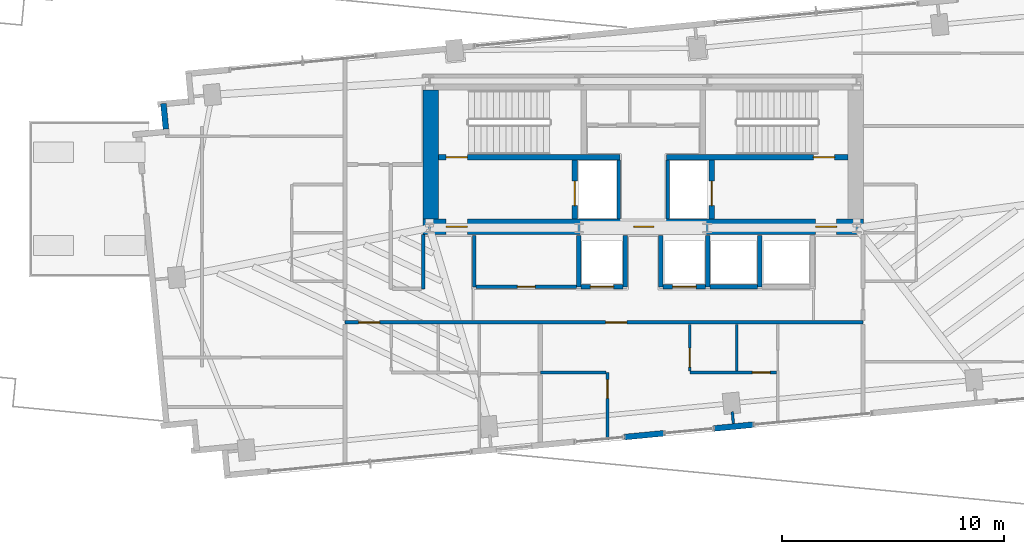
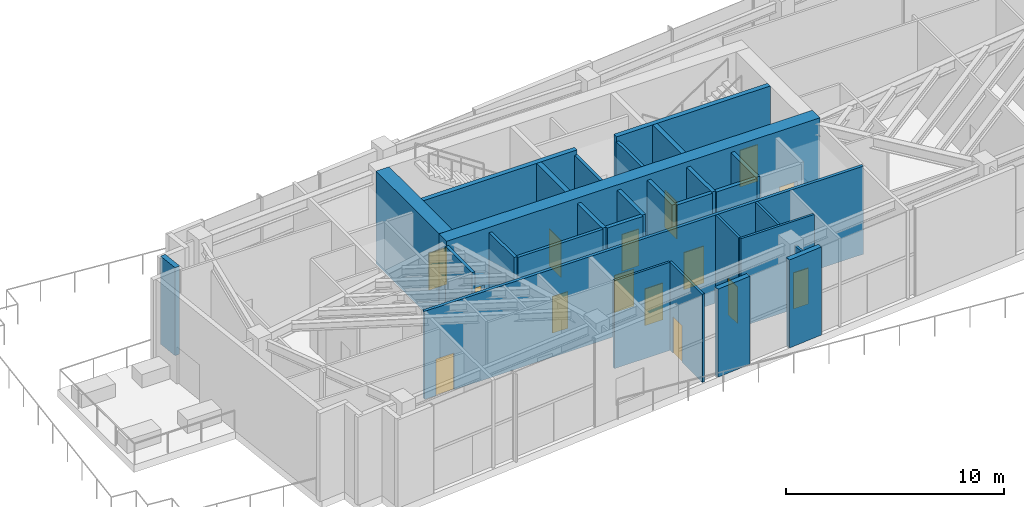
# One storey, part 15 of 21: 29 walls, 15 doors, 15 openings.
"""IFC4 building model written with IfcOpenShell, lengths in metres."""

from ifc_helpers import new_model, si_unit, direction, frame, frame_2d, origin, place, context, subcontext, project, spatial, rectangle, extrude, source, transform, mapped, material, layer, layer_set, type_object, type_shapes, element, fill, save


model = new_model("IFC4")

# Units and contexts
model_context = context("Model", 3, precision=1e-05, world=origin(), true_north=direction((0.0, 1.0)))
body_context = subcontext(model_context, "Body", "Model", "MODEL_VIEW")
ifc_project = project(units=[si_unit("LENGTHUNIT", "METRE"), si_unit("AREAUNIT", "SQUARE_METRE"), si_unit("VOLUMEUNIT", "CUBIC_METRE"), si_unit("PLANEANGLEUNIT", "RADIAN"), si_unit("MASSUNIT", "GRAM", prefix="KILO")], contexts=[model_context])

# Site, building, storey
site_placement = place(None, origin())
site = spatial("IfcSite", under=ifc_project, at=site_placement, CompositionType="ELEMENT")
building_placement = place(site_placement, origin())
building = spatial("IfcBuilding", under=site, at=building_placement, Name="Astriad Promenade Condominiums", CompositionType="ELEMENT")
storey_placement = place(building_placement, frame((0.0, 0.0, 167.800048828125)))
storey = spatial("IfcBuildingStorey", under=building, at=storey_placement, Name="L48", CompositionType="ELEMENT", Elevation=167.800048828125)

# Wall, openings, doors
ifc_material_1 = material(Name="Concrete C60/75", Category="concrete")
ifc_layer_1 = layer(ifc_material_1, 0.699951171875)
ifc_layer_set_1 = layer_set([ifc_layer_1], Name="Concrete C60/75")
wall_type_1 = type_object("IfcWallType", Name="CW-SHEAR-700", PredefinedType="SHEAR", material=ifc_layer_set_1)
wall_1_placement = place(storey_placement, frame((26.10009765625, 17.449951171875, 0.0), z_axis=(0.0, 0.0, 1.0), x_axis=(1.0, 0.0, 0.0)))
wall_1 = element("IfcWall", 1, at=wall_1_placement, inside=storey, type_object=wall_type_1, Name="CW-CORE-S-L48", PredefinedType="SHEAR", context=body_context, shape_type="SweptSolid", body=[
    extrude(rectangle(XDim=19.7998046875, YDim=0.699951171875, at=frame_2d((9.89990234375, 0.0))), origin(), (0.0, 0.0, 1.0), 5.199951171875),
])
opening_1_placement = place(wall_1_placement, frame((1.050048828125, 0.0, 0.0)))
opening_1 = element("IfcOpeningElement", 2, at=opening_1_placement, cuts=wall_1, Name="Opening FD90-ST-095", PredefinedType="OPENING", context=body_context, shape_type="SweptSolid", body=[
    extrude(rectangle(XDim=0.949951171875, YDim=2.06005859375, at=frame_2d((0.47509765625, 1.030029296875))), frame((0.0, 0.35986328125, 0.0), z_axis=(0.0, -1.0, 0.0), x_axis=(1.0, 0.0, 0.0)), (0.0, 0.0, 1.0), 0.719970703125),
])
opening_2_placement = place(wall_1_placement, frame((9.47998046875, 0.0, 0.0)))
opening_2 = element("IfcOpeningElement", 3, at=opening_2_placement, cuts=wall_1, Name="Opening FD60-CSL-090", PredefinedType="OPENING", context=body_context, shape_type="SweptSolid", body=[
    extrude(rectangle(XDim=0.89990234375, YDim=2.06005859375, at=frame_2d((0.449951171875, 1.030029296875))), frame((0.0, 0.35986328125, 0.0), z_axis=(0.0, -1.0, 0.0), x_axis=(1.0, 0.0, 0.0)), (0.0, 0.0, 1.0), 0.719970703125),
])
opening_3_placement = place(wall_1_placement, frame((17.64990234375, 0.0, 0.0)))
opening_3 = element("IfcOpeningElement", 4, at=opening_3_placement, cuts=wall_1, Name="Opening FD90-ST-095", PredefinedType="OPENING", context=body_context, shape_type="SweptSolid", body=[
    extrude(rectangle(XDim=0.949951171875, YDim=2.06005859375, at=frame_2d((0.47509765625, 1.030029296875))), frame((0.0, 0.35986328125, 0.0), z_axis=(0.0, -1.0, 0.0), x_axis=(1.0, 0.0, 0.0)), (0.0, 0.0, 1.0), 0.719970703125),
])
ifc_material_2 = material(Name="Fire-Rated Hollow Metal Stair Door")
door_type_1 = type_object("IfcDoorType", Name="FD90-ST-095", OperationType="NOTDEFINED", PredefinedType="DOOR", material=ifc_material_2)
shared_shape_1 = source(origin(), body_context, "Body", "SweptSolid", [
    extrude(rectangle(XDim=0.949951171875, YDim=2.06005859375, at=frame_2d((0.47509765625, 1.030029296875))), frame((0.0, 0.02490234375, 0.0), z_axis=(0.0, -1.0, 0.0), x_axis=(1.0, 0.0, 0.0)), (0.0, 0.0, 1.0), 0.050048828125),
])
type_shapes(door_type_1, [shared_shape_1])
door_1_placement = place(opening_1_placement, origin())
door_1 = element("IfcDoor", 5, at=door_1_placement, inside=storey, type_object=door_type_1, Name="D-FFW-L48", OperationType="SINGLE_SWING_LEFT", OverallHeight=2.06005859375, OverallWidth=0.949951171875, PredefinedType="DOOR", context=body_context, shape_type="MappedRepresentation", body=[
    mapped(shared_shape_1, transform((0.0, 0.0, 0.0), scale=1.0)),
])
fill(opening_1, door_1)
door_2_placement = place(opening_3_placement, origin())
door_2 = element("IfcDoor", 6, at=door_2_placement, inside=storey, type_object=door_type_1, Name="D-FFE-L48", OperationType="SINGLE_SWING_RIGHT", OverallHeight=2.06005859375, OverallWidth=0.949951171875, PredefinedType="DOOR", context=body_context, shape_type="MappedRepresentation", body=[
    mapped(shared_shape_1, transform((0.0, 0.0, 0.0), scale=1.0)),
])
fill(opening_3, door_2)
ifc_material_3 = material(Name="Fire-Rated Service Lobby Door")
door_type_2 = type_object("IfcDoorType", Name="FD60-CSL-090", OperationType="NOTDEFINED", PredefinedType="DOOR", material=ifc_material_3)
shared_shape_2 = source(origin(), body_context, "Body", "SweptSolid", [
    extrude(rectangle(XDim=0.89990234375, YDim=2.06005859375, at=frame_2d((0.449951171875, 1.030029296875))), frame((0.0, 0.02490234375, 0.0), z_axis=(0.0, -1.0, 0.0), x_axis=(1.0, 0.0, 0.0)), (0.0, 0.0, 1.0), 0.050048828125),
])
type_shapes(door_type_2, [shared_shape_2])
door_3_placement = place(opening_2_placement, origin())
door_3 = element("IfcDoor", 7, at=door_3_placement, inside=storey, type_object=door_type_2, Name="D-CSL-L48", OperationType="SINGLE_SWING_RIGHT", OverallHeight=2.06005859375, OverallWidth=0.89990234375, PredefinedType="DOOR", context=body_context, shape_type="MappedRepresentation", body=[
    mapped(shared_shape_2, transform((0.0, 0.0, 0.0), scale=1.0)),
])
fill(opening_2, door_3)

# Wall
wall_2_placement = place(storey_placement, frame((26.449951171875, 17.802001953125, 0.0), z_axis=(0.0, 0.0, 1.0), x_axis=(0.0, 1.0, 0.0)))
element("IfcWall", 8, at=wall_2_placement, inside=storey, type_object=wall_type_1, Name="CW-CORE-W-L48", PredefinedType="SHEAR", context=body_context, shape_type="SweptSolid", body=[
    extrude(rectangle(XDim=5.7958984375, YDim=0.699951171875, at=frame_2d((2.89794921875, 0.0))), origin(), (0.0, 0.0, 1.0), 5.199951171875),
])

# Wall, opening, door
ifc_material_4 = material(Name="Concrete C50/60", Category="concrete")
ifc_layer_2 = layer(ifc_material_4, 0.25)
ifc_layer_set_2 = layer_set([ifc_layer_2], Name="Concrete C50/60")
wall_type_2 = type_object("IfcWallType", Name="WALL-CORE-INT-250", PredefinedType="SOLIDWALL", material=ifc_layer_set_2)
wall_3_placement = place(storey_placement, frame((26.802001953125, 20.574951171875, 0.0), z_axis=(0.0, 0.0, 1.0), x_axis=(1.0, 0.0, 0.0)))
wall_3 = element("IfcWall", 9, at=wall_3_placement, inside=storey, type_object=wall_type_2, Name="CW-INT-H1-L48", PredefinedType="SOLIDWALL", context=body_context, shape_type="SweptSolid", body=[
    extrude(rectangle(XDim=8.14794921875, YDim=0.25, at=frame_2d((4.073974609375, 0.0))), origin(), (0.0, 0.0, 1.0), 5.199951171875),
])
opening_4_placement = place(wall_3_placement, frame((0.347900390625, 0.0, 0.0)))
opening_4 = element("IfcOpeningElement", 10, at=opening_4_placement, cuts=wall_3, Name="Opening FD90-ST-095", PredefinedType="OPENING", context=body_context, shape_type="SweptSolid", body=[
    extrude(rectangle(XDim=0.949951171875, YDim=2.06005859375, at=frame_2d((0.47509765625, 1.030029296875))), frame((0.0, 0.135009765625, 0.0), z_axis=(0.0, -1.0, 0.0), x_axis=(1.0, 0.0, 0.0)), (0.0, 0.0, 1.0), 0.27001953125),
])
door_4_placement = place(opening_4_placement, origin())
door_4 = element("IfcDoor", 11, at=door_4_placement, inside=storey, type_object=door_type_1, Name="D-ST1-L48", OperationType="SINGLE_SWING_LEFT", OverallHeight=2.06005859375, OverallWidth=0.949951171875, PredefinedType="DOOR", context=body_context, shape_type="MappedRepresentation", body=[
    mapped(shared_shape_1, transform((0.0, 0.0, 0.0), scale=1.0)),
])
fill(opening_4, door_4)

wall_4_placement = place(storey_placement, frame((37.050048828125, 20.574951171875, 0.0), z_axis=(0.0, 0.0, 1.0), x_axis=(1.0, 0.0, 0.0)))
wall_4 = element("IfcWall", 12, at=wall_4_placement, inside=storey, type_object=wall_type_2, Name="CW-INT-H2-L48", PredefinedType="SOLIDWALL", context=body_context, shape_type="SweptSolid", body=[
    extrude(rectangle(XDim=8.14794921875, YDim=0.25, at=frame_2d((4.073974609375, 0.0))), origin(), (0.0, 0.0, 1.0), 5.199951171875),
])
opening_5_placement = place(wall_4_placement, frame((6.60009765625, 0.0, 0.0)))
opening_5 = element("IfcOpeningElement", 13, at=opening_5_placement, cuts=wall_4, Name="Opening FD90-ST-095", PredefinedType="OPENING", context=body_context, shape_type="SweptSolid", body=[
    extrude(rectangle(XDim=0.949951171875, YDim=2.06005859375, at=frame_2d((0.47509765625, 1.030029296875))), frame((0.0, 0.135009765625, 0.0), z_axis=(0.0, -1.0, 0.0), x_axis=(1.0, 0.0, 0.0)), (0.0, 0.0, 1.0), 0.27001953125),
])
door_5_placement = place(opening_5_placement, origin())
door_5 = element("IfcDoor", 14, at=door_5_placement, inside=storey, type_object=door_type_1, Name="D-ST2-L48", OperationType="SINGLE_SWING_RIGHT", OverallHeight=2.06005859375, OverallWidth=0.949951171875, PredefinedType="DOOR", context=body_context, shape_type="MappedRepresentation", body=[
    mapped(shared_shape_1, transform((0.0, 0.0, 0.0), scale=1.0)),
])
fill(opening_5, door_5)

wall_5_placement = place(storey_placement, frame((32.925048828125, 17.802001953125, 0.0), z_axis=(0.0, 0.0, 1.0), x_axis=(0.0, 1.0, 0.0)))
wall_5 = element("IfcWall", 15, at=wall_5_placement, inside=storey, type_object=wall_type_2, Name="CW-FFL1-W-L48", PredefinedType="SOLIDWALL", context=body_context, shape_type="SweptSolid", body=[
    extrude(rectangle(XDim=2.64599609375, YDim=0.25, at=frame_2d((1.322998046875, 0.0))), origin(), (0.0, 0.0, 1.0), 5.199951171875),
])
opening_6_placement = place(wall_5_placement, frame((0.597900390625, 0.0, 0.0)))
opening_6 = element("IfcOpeningElement", 16, at=opening_6_placement, cuts=wall_5, Name="Opening LD-FFL-1122", PredefinedType="OPENING", context=body_context, shape_type="SweptSolid", body=[
    extrude(rectangle(XDim=1.10009765625, YDim=2.080078125, at=frame_2d((0.550048828125, 1.0400390625))), frame((0.0, 0.135009765625, 0.0), z_axis=(0.0, -1.0, 0.0), x_axis=(1.0, 0.0, 0.0)), (0.0, 0.0, 1.0), 0.27001953125),
])
ifc_material_5 = material(Name="Brushed Stainless Steel Fire Elevator Landing Door", Category="steel")
door_type_3 = type_object("IfcDoorType", Name="LD-FFL-1122", OperationType="NOTDEFINED", PredefinedType="DOOR", material=ifc_material_5)
shared_shape_3 = source(origin(), body_context, "Body", "SweptSolid", [
    extrude(rectangle(XDim=1.10009765625, YDim=2.080078125, at=frame_2d((0.550048828125, 1.0400390625))), frame((0.0, 0.02490234375, 0.0), z_axis=(0.0, -1.0, 0.0), x_axis=(1.0, 0.0, 0.0)), (0.0, 0.0, 1.0), 0.050048828125),
])
type_shapes(door_type_3, [shared_shape_3])
door_6_placement = place(opening_6_placement, origin())
door_6 = element("IfcDoor", 17, at=door_6_placement, inside=storey, type_object=door_type_3, Name="Elevator Landing Door FFL-1 (L48)", OperationType="SLIDING_TO_LEFT", OverallHeight=2.080078125, OverallWidth=1.10009765625, PredefinedType="DOOR", context=body_context, shape_type="MappedRepresentation", body=[
    mapped(shared_shape_3, transform((0.0, 0.0, 0.0), scale=1.0)),
])
fill(opening_6, door_6)

wall_6_placement = place(storey_placement, frame((39.074951171875, 17.802001953125, 0.0), z_axis=(0.0, 0.0, 1.0), x_axis=(0.0, 1.0, 0.0)))
wall_6 = element("IfcWall", 18, at=wall_6_placement, inside=storey, type_object=wall_type_2, Name="CW-FFL2-E-L48", PredefinedType="SOLIDWALL", context=body_context, shape_type="SweptSolid", body=[
    extrude(rectangle(XDim=2.64599609375, YDim=0.25, at=frame_2d((1.322998046875, 0.0))), origin(), (0.0, 0.0, 1.0), 5.199951171875),
])
opening_7_placement = place(wall_6_placement, frame((0.597900390625, 0.0, 0.0)))
opening_7 = element("IfcOpeningElement", 19, at=opening_7_placement, cuts=wall_6, Name="Opening LD-FFL-1122", PredefinedType="OPENING", context=body_context, shape_type="SweptSolid", body=[
    extrude(rectangle(XDim=1.10009765625, YDim=2.080078125, at=frame_2d((0.550048828125, 1.0400390625))), frame((0.0, 0.135009765625, 0.0), z_axis=(0.0, -1.0, 0.0), x_axis=(1.0, 0.0, 0.0)), (0.0, 0.0, 1.0), 0.27001953125),
])
door_7_placement = place(opening_7_placement, origin())
door_7 = element("IfcDoor", 20, at=door_7_placement, inside=storey, type_object=door_type_3, Name="Elevator Landing Door FFL-2 (L48)", OperationType="SLIDING_TO_RIGHT", OverallHeight=2.080078125, OverallWidth=1.10009765625, PredefinedType="DOOR", context=body_context, shape_type="MappedRepresentation", body=[
    mapped(shared_shape_3, transform((0.0, 0.0, 0.0), scale=1.0)),
])
fill(opening_7, door_7)

# Walls
ifc_material_6 = material(Name="Fire-Rated Gypsum Partition")
ifc_layer_3 = layer(ifc_material_6, 0.159912109375)
ifc_layer_set_3 = layer_set([ifc_layer_3], Name="Fire-Rated Gypsum Partition")
wall_type_3 = type_object("IfcWallType", Name="WALL-CORR-160", PredefinedType="PARTITIONING", material=ifc_layer_set_3)
for number, where, z_axis, x_axis, name in (
    (21, (34.89990234375, 17.802001953125, 0.0), (0.0, 0.0, 1.0), (0.0, 1.0, 0.0), "CW-FFL1-E-L48"),
    (22, (37.10009765625, 17.802001953125, 0.0), (0.0, 0.0, 1.0), (0.0, 1.0, 0.0), "CW-FFL2-W-L48"),
):
    element("IfcWall", number, at=place(storey_placement, frame(where, z_axis=z_axis, x_axis=x_axis)), inside=storey, type_object=wall_type_3, Name=name, PredefinedType="PARTITIONING", context=body_context, shape_type="SweptSolid", body=[
        extrude(rectangle(XDim=2.64599609375, YDim=0.159912109375, at=frame_2d((1.322998046875, 0.0))), origin(), (0.0, 0.0, 1.0), 4.93994140625),
    ])
wall_7_placement = place(storey_placement, frame((28.39990234375, 14.75, 0.0), z_axis=(0.0, 0.0, 1.0), x_axis=(0.0, 1.0, 0.0)))
element("IfcWall", 23, at=wall_7_placement, inside=storey, type_object=wall_type_3, Name="REC-L-W-L48", PredefinedType="PARTITIONING", context=body_context, shape_type="SweptSolid", body=[
    extrude(rectangle(XDim=2.300048828125, YDim=0.159912109375, at=frame_2d((1.14990234375, 0.0))), origin(), (0.0, 0.0, 1.0), 4.93994140625),
])

# Wall, opening, door
wall_8_placement = place(storey_placement, frame((28.48193359375, 14.75, 0.0), z_axis=(0.0, 0.0, 1.0), x_axis=(1.0, 0.0, 0.0)))
wall_8 = element("IfcWall", 24, at=wall_8_placement, inside=storey, type_object=wall_type_3, Name="REC-L-S-L48", PredefinedType="PARTITIONING", context=body_context, shape_type="SweptSolid", body=[
    extrude(rectangle(XDim=4.51611328125, YDim=0.159912109375, at=frame_2d((2.258056640625, 0.0))), origin(), (0.0, 0.0, 1.0), 4.93994140625),
])
opening_8_placement = place(wall_8_placement, frame((1.867919921875, 0.0, 0.0)))
opening_8 = element("IfcOpeningElement", 25, at=opening_8_placement, cuts=wall_8, Name="Opening FD60-SV-080", PredefinedType="OPENING", context=body_context, shape_type="SweptSolid", body=[
    extrude(rectangle(XDim=0.800048828125, YDim=2.050048828125, at=frame_2d((0.39990234375, 1.02490234375))), frame((0.0, 0.08984375, 0.0), z_axis=(0.0, -1.0, 0.0), x_axis=(1.0, 0.0, 0.0)), (0.0, 0.0, 1.0), 0.179931640625),
])
ifc_material_7 = material(Name="Fire-Rated Riser Closet Door")
door_type_4 = type_object("IfcDoorType", Name="FD60-SV-080", OperationType="NOTDEFINED", PredefinedType="DOOR", material=ifc_material_7)
shared_shape_4 = source(origin(), body_context, "Body", "SweptSolid", [
    extrude(rectangle(XDim=0.800048828125, YDim=2.050048828125, at=frame_2d((0.39990234375, 1.02490234375))), frame((0.0, 0.02490234375, 0.0), z_axis=(0.0, -1.0, 0.0), x_axis=(1.0, 0.0, 0.0)), (0.0, 0.0, 1.0), 0.050048828125),
])
type_shapes(door_type_4, [shared_shape_4])
door_8_placement = place(opening_8_placement, origin())
door_8 = element("IfcDoor", 26, at=door_8_placement, inside=storey, type_object=door_type_4, Name="D-RECL-L48", OperationType="SINGLE_SWING_LEFT", OverallHeight=2.050048828125, OverallWidth=0.800048828125, PredefinedType="DOOR", context=body_context, shape_type="MappedRepresentation", body=[
    mapped(shared_shape_4, transform((0.0, 0.0, 0.0), scale=1.0)),
])
fill(opening_8, door_8)

# Wall, openings, doors
wall_9_placement = place(storey_placement, frame((22.60009765625, 13.14990234375, 0.0), z_axis=(0.0, 0.0, 1.0), x_axis=(1.0, 0.0, 0.0)))
wall_9 = element("IfcWall", 27, at=wall_9_placement, inside=storey, type_object=wall_type_3, Name="PT-COR-S-L48", PredefinedType="PARTITIONING", context=body_context, shape_type="SweptSolid", body=[
    extrude(rectangle(XDim=23.27978515625, YDim=0.159912109375, at=frame_2d((11.639892578125, 0.0))), origin(), (0.0, 0.0, 1.0), 4.93994140625),
])
opening_9_placement = place(wall_9_placement, frame((0.60693359375, 0.0, 0.0)))
opening_9 = element("IfcOpeningElement", 28, at=opening_9_placement, cuts=wall_9, Name="Opening FD60-APT-095", PredefinedType="OPENING", context=body_context, shape_type="SweptSolid", body=[
    extrude(rectangle(XDim=0.949951171875, YDim=2.06005859375, at=frame_2d((0.47509765625, 1.030029296875))), frame((0.0, 0.08984375, 0.0), z_axis=(0.0, -1.0, 0.0), x_axis=(1.0, 0.0, 0.0)), (0.0, 0.0, 1.0), 0.179931640625),
])
opening_10_placement = place(wall_9_placement, frame((11.717041015625, 0.0, 0.0)))
opening_10 = element("IfcOpeningElement", 29, at=opening_10_placement, cuts=wall_9, Name="Opening FD60-APT-095", PredefinedType="OPENING", context=body_context, shape_type="SweptSolid", body=[
    extrude(rectangle(XDim=0.949951171875, YDim=2.06005859375, at=frame_2d((0.47509765625, 1.030029296875))), frame((0.0, 0.08984375, 0.0), z_axis=(0.0, -1.0, 0.0), x_axis=(1.0, 0.0, 0.0)), (0.0, 0.0, 1.0), 0.179931640625),
])
ifc_material_8 = material(Name="Solid-Core Acoustic Timber Residence Entry Door", Category="wood")
door_type_5 = type_object("IfcDoorType", Name="FD60-APT-095", OperationType="NOTDEFINED", PredefinedType="DOOR", material=ifc_material_8)
shared_shape_5 = source(origin(), body_context, "Body", "SweptSolid", [
    extrude(rectangle(XDim=0.949951171875, YDim=2.06005859375, at=frame_2d((0.47509765625, 1.030029296875))), frame((0.0, 0.02490234375, 0.0), z_axis=(0.0, -1.0, 0.0), x_axis=(1.0, 0.0, 0.0)), (0.0, 0.0, 1.0), 0.050048828125),
])
type_shapes(door_type_5, [shared_shape_5])
door_9_placement = place(opening_9_placement, origin())
door_9 = element("IfcDoor", 30, at=door_9_placement, inside=storey, type_object=door_type_5, Name="D-ENT-L48-S1", OperationType="SINGLE_SWING_LEFT", OverallHeight=2.06005859375, OverallWidth=0.949951171875, PredefinedType="DOOR", context=body_context, shape_type="MappedRepresentation", body=[
    mapped(shared_shape_5, transform((0.0, 0.0, 0.0), scale=1.0)),
])
fill(opening_9, door_9)
door_10_placement = place(opening_10_placement, origin())
door_10 = element("IfcDoor", 31, at=door_10_placement, inside=storey, type_object=door_type_5, Name="D-ENT-L48-S2", OperationType="SINGLE_SWING_RIGHT", OverallHeight=2.06005859375, OverallWidth=0.949951171875, PredefinedType="DOOR", context=body_context, shape_type="MappedRepresentation", body=[
    mapped(shared_shape_5, transform((0.0, 0.0, 0.0), scale=1.0)),
])
fill(opening_10, door_10)

# Walls
wall_10_placement = place(storey_placement, frame((26.1201171875, 14.659912109375, 0.0), z_axis=(0.0, 0.0, 1.0), x_axis=(0.0, 1.0, 0.0)))
element("IfcWall", 32, at=wall_10_placement, inside=storey, type_object=wall_type_3, Name="PT-WSPUR-W-L48", PredefinedType="PARTITIONING", context=body_context, shape_type="SweptSolid", body=[
    extrude(rectangle(XDim=2.43798828125, YDim=0.159912109375, at=frame_2d((1.218994140625, 0.0))), origin(), (0.0, 0.0, 1.0), 4.93994140625),
])
ifc_material_9 = material(Name="Precast concrete C50/60", Category="concrete")
ifc_layer_4 = layer(ifc_material_9, 0.260009765625)
ifc_layer_set_4 = layer_set([ifc_layer_4], Name="Precast concrete C50/60")
wall_type_4 = type_object("IfcWallType", Name="WALL-EXT-TWR-260", PredefinedType="STANDARD", material=ifc_layer_set_4)
wall_11_placement = place(storey_placement, frame((14.55029296875, 21.842529296875, 0.0), z_axis=(0.0, 0.0, 1.0), x_axis=(-0.09576095695, 0.995404359607, 0.0)))
element("IfcWall", 33, at=wall_11_placement, inside=storey, type_object=wall_type_4, Name="W-SER-L48-05", PredefinedType="STANDARD", context=body_context, shape_type="SweptSolid", body=[
    extrude(rectangle(XDim=1.14990234375, YDim=0.260009765625, at=frame_2d((0.574951171875, 0.0))), origin(), (0.0, 0.0, 1.0), 4.93994140625),
])
wall_12_placement = place(storey_placement, frame((40.965087890625, 8.55810546875, 0.0), z_axis=(0.0, 0.0, 1.0), x_axis=(-0.995391866735, -0.09589072759, 0.0)))
element("IfcWall", 34, at=wall_12_placement, inside=storey, type_object=wall_type_4, Name="W-SGCOL-L48-S-3", PredefinedType="STANDARD", context=body_context, shape_type="SweptSolid", body=[
    extrude(rectangle(XDim=1.800048828125, YDim=0.260009765625, at=frame_2d((0.89990234375, 0.0))), origin(), (0.0, 0.0, 1.0), 4.93994140625),
])
wall_13_placement = place(storey_placement, frame((36.943603515625, 8.1708984375, 0.0), z_axis=(0.0, 0.0, 1.0), x_axis=(-0.995390619356, -0.0959036751, 0.0)))
element("IfcWall", 35, at=wall_13_placement, inside=storey, type_object=wall_type_4, Name="W-SGCOL-L48-S-4", PredefinedType="STANDARD", context=body_context, shape_type="SweptSolid", body=[
    extrude(rectangle(XDim=1.7998046875, YDim=0.260009765625, at=frame_2d((0.89990234375, 0.0))), origin(), (0.0, 0.0, 1.0), 4.93994140625),
])

# Wall, opening, door
ifc_material_10 = material(Name="Acoustic Metal-Stud Gypsum Partition")
ifc_layer_5 = layer(ifc_material_10, 0.1201171875)
ifc_layer_set_5 = layer_set([ifc_layer_5], Name="Acoustic Metal-Stud Gypsum Partition")
wall_type_5 = type_object("IfcWallType", Name="WALL-PART-120", PredefinedType="PARTITIONING", material=ifc_layer_set_5)
wall_14_placement = place(storey_placement, frame((38.10009765625, 10.89990234375, 0.0), z_axis=(0.0, 0.0, 1.0), x_axis=(1.0, 0.0, 0.0)))
wall_14 = element("IfcWall", 36, at=wall_14_placement, inside=storey, type_object=wall_type_5, Name="PT-L48-S2-PS", PredefinedType="PARTITIONING", context=body_context, shape_type="SweptSolid", body=[
    extrude(rectangle(XDim=3.887939453125, YDim=0.1201171875, at=frame_2d((1.94384765625, 0.0))), origin(), (0.0, 0.0, 1.0), 4.93994140625),
])
opening_11_placement = place(wall_14_placement, frame((2.804931640625, 0.0, 0.0)))
opening_11 = element("IfcOpeningElement", 37, at=opening_11_placement, cuts=wall_14, Name="Opening D-WET-080", PredefinedType="OPENING", context=body_context, shape_type="SweptSolid", body=[
    extrude(rectangle(XDim=0.800048828125, YDim=2.02001953125, at=frame_2d((0.39990234375, 1.010009765625))), frame((0.0, 0.070068359375, 0.0), z_axis=(0.0, -1.0, 0.0), x_axis=(1.0, 0.0, 0.0)), (0.0, 0.0, 1.0), 0.14013671875),
])
ifc_material_11 = material(Name="Moisture-Resistant Timber Bathroom Door", Category="wood")
door_type_6 = type_object("IfcDoorType", Name="D-WET-080", OperationType="NOTDEFINED", PredefinedType="DOOR", material=ifc_material_11)
shared_shape_6 = source(origin(), body_context, "Body", "SweptSolid", [
    extrude(rectangle(XDim=0.800048828125, YDim=2.02001953125, at=frame_2d((0.39990234375, 1.010009765625))), frame((0.0, 0.02490234375, 0.0), z_axis=(0.0, -1.0, 0.0), x_axis=(1.0, 0.0, 0.0)), (0.0, 0.0, 1.0), 0.050048828125),
])
type_shapes(door_type_6, [shared_shape_6])
door_11_placement = place(opening_11_placement, origin())
door_11 = element("IfcDoor", 38, at=door_11_placement, inside=storey, type_object=door_type_6, Name="D-BTH-L48-S2", OperationType="SINGLE_SWING_LEFT", OverallHeight=2.02001953125, OverallWidth=0.800048828125, PredefinedType="DOOR", context=body_context, shape_type="MappedRepresentation", body=[
    mapped(shared_shape_6, transform((0.0, 0.0, 0.0), scale=1.0)),
])
fill(opening_11, door_11)

# Wall
wall_15_placement = place(storey_placement, frame((40.199951171875, 10.9619140625, 0.0), z_axis=(0.0, 0.0, 1.0), x_axis=(0.0, 1.0, 0.0)))
element("IfcWall", 39, at=wall_15_placement, inside=storey, type_object=wall_type_5, Name="PT-L48-S2-PBK", PredefinedType="PARTITIONING", context=body_context, shape_type="SweptSolid", body=[
    extrude(rectangle(XDim=2.106201171875, YDim=0.1201171875, at=frame_2d((1.05322265625, 0.0))), origin(), (0.0, 0.0, 1.0), 4.93994140625),
])

# Wall, opening, door
wall_16_placement = place(storey_placement, frame((38.10009765625, 10.9619140625, 0.0), z_axis=(0.0, 0.0, 1.0), x_axis=(0.0, 1.0, 0.0)))
wall_16 = element("IfcWall", 40, at=wall_16_placement, inside=storey, type_object=wall_type_5, Name="PT-L48-S2-PKW", PredefinedType="PARTITIONING", context=body_context, shape_type="SweptSolid", body=[
    extrude(rectangle(XDim=2.106201171875, YDim=0.1201171875, at=frame_2d((1.05322265625, 0.0))), origin(), (0.0, 0.0, 1.0), 4.93994140625),
])
opening_12_placement = place(wall_16_placement, frame((0.179931640625, 0.0, 0.0)))
opening_12 = element("IfcOpeningElement", 41, at=opening_12_placement, cuts=wall_16, Name="Opening D-INT-085", PredefinedType="OPENING", context=body_context, shape_type="SweptSolid", body=[
    extrude(rectangle(XDim=0.85009765625, YDim=2.050048828125, at=frame_2d((0.425048828125, 1.02490234375))), frame((0.0, 0.070068359375, 0.0), z_axis=(0.0, -1.0, 0.0), x_axis=(1.0, 0.0, 0.0)), (0.0, 0.0, 1.0), 0.14013671875),
])
ifc_material_12 = material(Name="Painted Solid-Core Timber Room Door", Category="wood")
door_type_7 = type_object("IfcDoorType", Name="D-INT-085", OperationType="NOTDEFINED", PredefinedType="DOOR", material=ifc_material_12)
shared_shape_7 = source(origin(), body_context, "Body", "SweptSolid", [
    extrude(rectangle(XDim=0.85009765625, YDim=2.050048828125, at=frame_2d((0.425048828125, 1.02490234375))), frame((0.0, 0.02490234375, 0.0), z_axis=(0.0, -1.0, 0.0), x_axis=(1.0, 0.0, 0.0)), (0.0, 0.0, 1.0), 0.050048828125),
])
type_shapes(door_type_7, [shared_shape_7])
door_12_placement = place(opening_12_placement, origin())
door_12 = element("IfcDoor", 42, at=door_12_placement, inside=storey, type_object=door_type_7, Name="D-KIT-L48-S2", OperationType="SINGLE_SWING_RIGHT", OverallHeight=2.050048828125, OverallWidth=0.85009765625, PredefinedType="DOOR", context=body_context, shape_type="MappedRepresentation", body=[
    mapped(shared_shape_7, transform((0.0, 0.0, 0.0), scale=1.0)),
])
fill(opening_12, door_12)

wall_17_placement = place(storey_placement, frame((34.39501953125, 7.875, 0.0), z_axis=(0.0, 0.0, 1.0), x_axis=(0.0, 1.0, 0.0)))
wall_17 = element("IfcWall", 43, at=wall_17_placement, inside=storey, type_object=wall_type_5, Name="PT-L48-S2-EXV", PredefinedType="PARTITIONING", context=body_context, shape_type="SweptSolid", body=[
    extrude(rectangle(XDim=3.02490234375, YDim=0.1201171875, at=frame_2d((1.512451171875, 0.0))), origin(), (0.0, 0.0, 1.0), 4.93994140625),
])
opening_13_placement = place(wall_17_placement, frame((1.860107421875, 0.0, 0.0)))
opening_13 = element("IfcOpeningElement", 44, at=opening_13_placement, cuts=wall_17, Name="Opening D-INT-085", PredefinedType="OPENING", context=body_context, shape_type="SweptSolid", body=[
    extrude(rectangle(XDim=0.85009765625, YDim=2.050048828125, at=frame_2d((0.425048828125, 1.02490234375))), frame((0.0, 0.070068359375, 0.0), z_axis=(0.0, -1.0, 0.0), x_axis=(1.0, 0.0, 0.0)), (0.0, 0.0, 1.0), 0.14013671875),
])
door_13_placement = place(opening_13_placement, origin())
door_13 = element("IfcDoor", 45, at=door_13_placement, inside=storey, type_object=door_type_7, Name="D-EX-L48-S2", OperationType="SINGLE_SWING_LEFT", OverallHeight=2.050048828125, OverallWidth=0.85009765625, PredefinedType="DOOR", context=body_context, shape_type="MappedRepresentation", body=[
    mapped(shared_shape_7, transform((0.0, 0.0, 0.0), scale=1.0)),
])
fill(opening_13, door_13)

# Walls
wall_18_placement = place(storey_placement, frame((31.384033203125, 10.89990234375, 0.0), z_axis=(0.0, 0.0, 1.0), x_axis=(1.0, 0.0, 0.0)))
element("IfcWall", 46, at=wall_18_placement, inside=storey, type_object=wall_type_5, Name="PT-L48-S2-EXH", PredefinedType="PARTITIONING", context=body_context, shape_type="SweptSolid", body=[
    extrude(rectangle(XDim=2.948974609375, YDim=0.1201171875, at=frame_2d((1.474609375, 0.0))), origin(), (0.0, 0.0, 1.0), 4.93994140625),
])
wall_19_placement = place(storey_placement, frame((40.005126953125, 9.138671875, 0.0), z_axis=(0.0, 0.0, 1.0), x_axis=(0.095729696592, -0.995407366454, 0.0)))
element("IfcWall", 47, at=wall_19_placement, inside=storey, type_object=wall_type_5, Name="PT-PIL-L48-PC03-10", PredefinedType="PARTITIONING", context=body_context, shape_type="SweptSolid", body=[
    extrude(rectangle(XDim=0.5380859375, YDim=0.1201171875, at=frame_2d((0.26904296875, 0.0))), origin(), (0.0, 0.0, 1.0), 4.93994140625),
])
ifc_material_13 = material(Name="Gypsum Shaftliner Assembly")
ifc_layer_6 = layer(ifc_material_13, 0.199951171875)
ifc_layer_set_6 = layer_set([ifc_layer_6], Name="Gypsum Shaftliner Assembly")
wall_type_6 = type_object("IfcWallType", Name="WALL-SHAFT-200", PredefinedType="PARTITIONING", material=ifc_layer_set_6)
for number, where, z_axis, x_axis, name in (
    (48, (33.10009765625, 14.75, 0.0), (0.0, 0.0, 1.0), (0.0, 1.0, 0.0), "REC-L-E-L48"),
    (49, (35.199951171875, 14.75, 0.0), (0.0, 0.0, 1.0), (0.0, 1.0, 0.0), "PL-M1-E-L48"),
):
    element("IfcWall", number, at=place(storey_placement, frame(where, z_axis=z_axis, x_axis=x_axis)), inside=storey, type_object=wall_type_6, Name=name, PredefinedType="PARTITIONING", context=body_context, shape_type="SweptSolid", body=[
        extrude(rectangle(XDim=2.300048828125, YDim=0.199951171875, at=frame_2d((1.14990234375, 0.0))), origin(), (0.0, 0.0, 1.0), 4.93994140625),
    ])

# Wall, opening, door
wall_20_placement = place(storey_placement, frame((33.201904296875, 14.75, 0.0), z_axis=(0.0, 0.0, 1.0), x_axis=(1.0, 0.0, 0.0)))
wall_20 = element("IfcWall", 50, at=wall_20_placement, inside=storey, type_object=wall_type_6, Name="PL-M1-F-L48", PredefinedType="PARTITIONING", context=body_context, shape_type="SweptSolid", body=[
    extrude(rectangle(XDim=1.89599609375, YDim=0.199951171875, at=frame_2d((0.947998046875, 0.0))), origin(), (0.0, 0.0, 1.0), 4.93994140625),
])
opening_14_placement = place(wall_20_placement, frame((0.423095703125, 0.0, 0.0)))
opening_14 = element("IfcOpeningElement", 51, at=opening_14_placement, cuts=wall_20, Name="Opening LD-PL-10522", PredefinedType="OPENING", context=body_context, shape_type="SweptSolid", body=[
    extrude(rectangle(XDim=1.050048828125, YDim=2.080078125, at=frame_2d((0.52490234375, 1.0400390625))), frame((0.0, 0.10986328125, 0.0), z_axis=(0.0, -1.0, 0.0), x_axis=(1.0, 0.0, 0.0)), (0.0, 0.0, 1.0), 0.219970703125),
])
ifc_material_14 = material(Name="Brushed Bronze Passenger Elevator Landing Door")
door_type_8 = type_object("IfcDoorType", Name="LD-PL-10522", OperationType="NOTDEFINED", PredefinedType="DOOR", material=ifc_material_14)
shared_shape_8 = source(origin(), body_context, "Body", "SweptSolid", [
    extrude(rectangle(XDim=1.050048828125, YDim=2.080078125, at=frame_2d((0.52490234375, 1.0400390625))), frame((0.0, 0.02490234375, 0.0), z_axis=(0.0, -1.0, 0.0), x_axis=(1.0, 0.0, 0.0)), (0.0, 0.0, 1.0), 0.050048828125),
])
type_shapes(door_type_8, [shared_shape_8])
door_14_placement = place(opening_14_placement, origin())
door_14 = element("IfcDoor", 52, at=door_14_placement, inside=storey, type_object=door_type_8, Name="Elevator Landing Door PL-M1 (L48)", OperationType="SLIDING_TO_LEFT", OverallHeight=2.080078125, OverallWidth=1.050048828125, PredefinedType="DOOR", context=body_context, shape_type="MappedRepresentation", body=[
    mapped(shared_shape_8, transform((0.0, 0.0, 0.0), scale=1.0)),
])
fill(opening_14, door_14)

# Walls
for number, where, z_axis, x_axis, name in (
    (53, (36.800048828125, 14.75, 0.0), (0.0, 0.0, 1.0), (0.0, 1.0, 0.0), "PL-M2-W-L48"),
    (54, (38.89990234375, 14.75, 0.0), (0.0, 0.0, 1.0), (0.0, 1.0, 0.0), "PL-MH-DIV-L48"),
):
    element("IfcWall", number, at=place(storey_placement, frame(where, z_axis=z_axis, x_axis=x_axis)), inside=storey, type_object=wall_type_6, Name=name, PredefinedType="PARTITIONING", context=body_context, shape_type="SweptSolid", body=[
        extrude(rectangle(XDim=2.300048828125, YDim=0.199951171875, at=frame_2d((1.14990234375, 0.0))), origin(), (0.0, 0.0, 1.0), 4.93994140625),
    ])

# Wall, opening, door
wall_21_placement = place(storey_placement, frame((36.902099609375, 14.75, 0.0), z_axis=(0.0, 0.0, 1.0), x_axis=(1.0, 0.0, 0.0)))
wall_21 = element("IfcWall", 55, at=wall_21_placement, inside=storey, type_object=wall_type_6, Name="PL-M2-F-L48", PredefinedType="PARTITIONING", context=body_context, shape_type="SweptSolid", body=[
    extrude(rectangle(XDim=1.89599609375, YDim=0.199951171875, at=frame_2d((0.947998046875, 0.0))), origin(), (0.0, 0.0, 1.0), 4.93994140625),
])
opening_15_placement = place(wall_21_placement, frame((0.423095703125, 0.0, 0.0)))
opening_15 = element("IfcOpeningElement", 56, at=opening_15_placement, cuts=wall_21, Name="Opening LD-PL-10522", PredefinedType="OPENING", context=body_context, shape_type="SweptSolid", body=[
    extrude(rectangle(XDim=1.050048828125, YDim=2.080078125, at=frame_2d((0.52490234375, 1.0400390625))), frame((0.0, 0.10986328125, 0.0), z_axis=(0.0, -1.0, 0.0), x_axis=(1.0, 0.0, 0.0)), (0.0, 0.0, 1.0), 0.219970703125),
])
door_15_placement = place(opening_15_placement, origin())
door_15 = element("IfcDoor", 57, at=door_15_placement, inside=storey, type_object=door_type_8, Name="Elevator Landing Door PL-M2 (L48)", OperationType="SLIDING_TO_RIGHT", OverallHeight=2.080078125, OverallWidth=1.050048828125, PredefinedType="DOOR", context=body_context, shape_type="MappedRepresentation", body=[
    mapped(shared_shape_8, transform((0.0, 0.0, 0.0), scale=1.0)),
])
fill(opening_15, door_15)

# Walls
wall_22_placement = place(storey_placement, frame((41.25, 14.75, 0.0), z_axis=(0.0, 0.0, 1.0), x_axis=(0.0, 1.0, 0.0)))
element("IfcWall", 58, at=wall_22_placement, inside=storey, type_object=wall_type_6, Name="PL-H-DIV-L48", PredefinedType="PARTITIONING", context=body_context, shape_type="SweptSolid", body=[
    extrude(rectangle(XDim=2.300048828125, YDim=0.199951171875, at=frame_2d((1.14990234375, 0.0))), origin(), (0.0, 0.0, 1.0), 4.93994140625),
])
wall_23_placement = place(storey_placement, frame((39.001953125, 14.75, 0.0), z_axis=(0.0, 0.0, 1.0), x_axis=(1.0, 0.0, 0.0)))
element("IfcWall", 59, at=wall_23_placement, inside=storey, type_object=wall_type_6, Name="PL-H-FRT-L48", PredefinedType="PARTITIONING", context=body_context, shape_type="SweptSolid", body=[
    extrude(rectangle(XDim=2.14599609375, YDim=0.199951171875, at=frame_2d((1.072998046875, 0.0))), origin(), (0.0, 0.0, 1.0), 4.93994140625),
])

save(model, "model.ifc")
